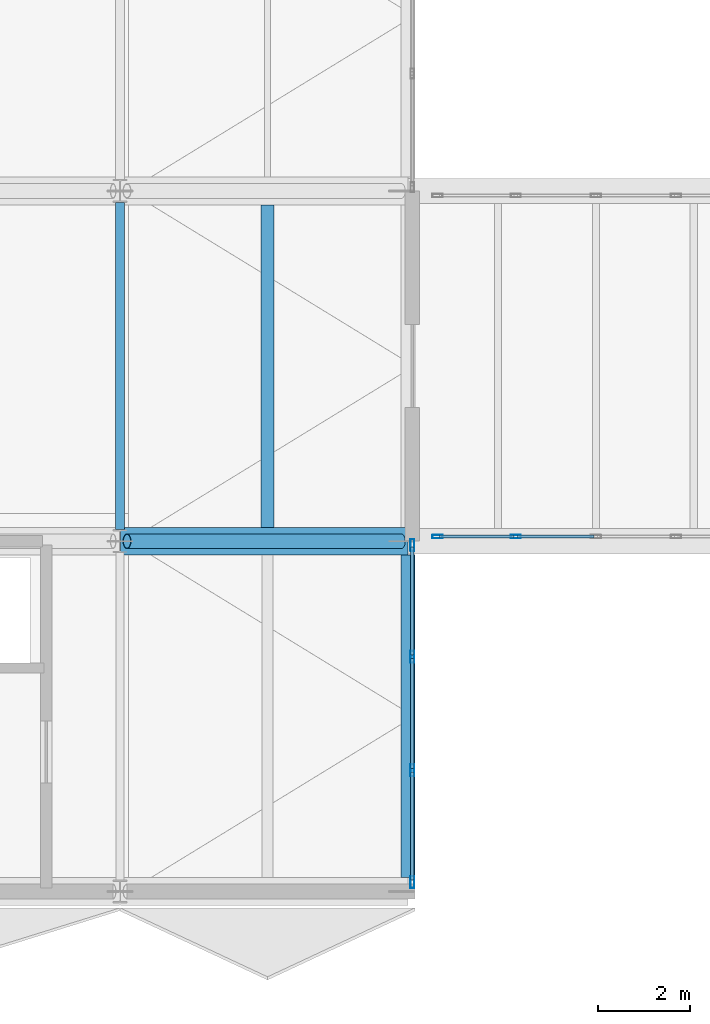
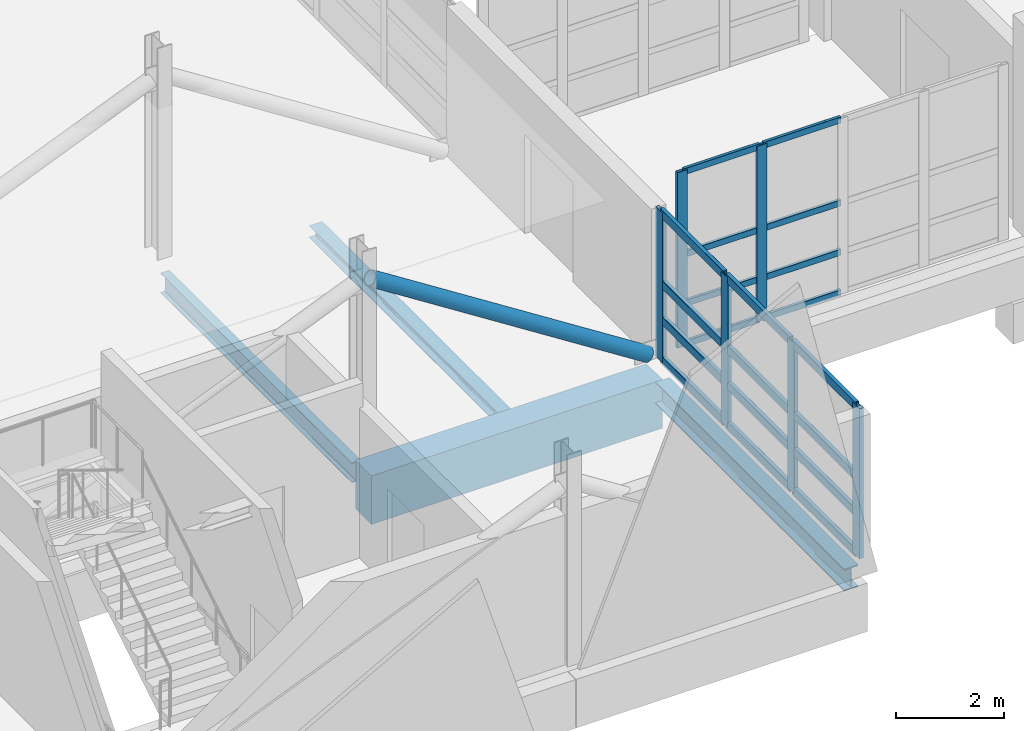
# One storey, part 13 of 147: 27 members, 4 beams, 2 elements without a shape of their own.
"""IFC4 building model written with IfcOpenShell, lengths in metres."""

from ifc_helpers import new_model, si_unit, direction, frame, origin, origin_2d, place, context, subcontext, project, spatial, rectangle, hollow_rectangle, hollow_circle, i_section, extrude, material, material_profile, profile_set, type_object, element, aggregate, save


model = new_model("IFC4")

# Units and contexts
model_context = context("Model", 3, precision=1e-05, world=origin(), true_north=direction((0.0, 1.0)))
body_context = subcontext(model_context, "Body", "Model", "MODEL_VIEW")
ifc_project = project(units=[si_unit("LENGTHUNIT", "METRE"), si_unit("AREAUNIT", "SQUARE_METRE"), si_unit("VOLUMEUNIT", "CUBIC_METRE"), si_unit("PLANEANGLEUNIT", "RADIAN"), si_unit("MASSUNIT", "GRAM", prefix="KILO")], contexts=[model_context])

# Site, building, storey
site_placement = place(None, origin())
site = spatial("IfcSite", under=ifc_project, at=site_placement, CompositionType="ELEMENT")
building_placement = place(site_placement, origin())
building = spatial("IfcBuilding", under=site, at=building_placement, Name="Khelvaren Railside Concert Hall", CompositionType="ELEMENT")
storey_placement = place(building_placement, frame((0.0, 0.0, 5.39990234375)))
storey = spatial("IfcBuildingStorey", under=building, at=storey_placement, Name="L01", CompositionType="ELEMENT", Elevation=5.39990234375)

# Beam
ifc_material_1 = material(Name="Steel S355", Category="steel")
ifc_material_profile_1 = material_profile(ifc_material_1, i_section(OverallWidth=0.18994140625, OverallDepth=0.449951171875, WebThickness=0.009521484375, FlangeThickness=0.0146484375, FilletRadius=0.02099609375, at=origin_2d()), Name="IPE 450")
ifc_profile_set_1 = profile_set([ifc_material_profile_1], Name="Steel S355")
beam_type_1 = type_object("IfcBeamType", Name="BM95", PredefinedType="BEAM", material=ifc_profile_set_1)
beam_1_placement = place(storey_placement, frame((49.60009765625, 7.85009765625, -0.52490234375), z_axis=(0.0, 1.0, 0.0), x_axis=(-1.0, 0.0, 0.0)))
element("IfcBeam", 1, at=beam_1_placement, inside=storey, type_object=beam_type_1, Name="V1 L01 Beam Y7.2", PredefinedType="BEAM", context=body_context, shape_type="SweptSolid", body=[
    extrude(i_section(OverallWidth=0.18994140625, OverallDepth=0.449951171875, WebThickness=0.009521484375, FlangeThickness=0.0146484375, FilletRadius=0.02099609375, at=origin_2d()), origin(), (0.0, 0.0, 1.0), 7.099853515625),
])

# Member
ifc_material_profile_2 = material_profile(ifc_material_1, hollow_circle(Radius=0.161865234375, WallThickness=0.01611328125, at=origin_2d()), Name="CHS 323.9x16")
ifc_profile_set_2 = profile_set([ifc_material_profile_2], Name="Steel S355")
member_type_1 = type_object("IfcMemberType", Name="BR78", PredefinedType="BRACE", material=ifc_profile_set_2)
member_1_placement = place(storey_placement, frame((49.75, 7.60009765625, 3.960205078125), z_axis=(0.842137077221, 0.0, -0.539263519228), x_axis=(0.0, 1.0, 0.0)))
element("IfcMember", 2, at=member_1_placement, inside=storey, type_object=member_type_1, Name="V1 L01 Plaza Cantilever Truss Diagonal 2A", PredefinedType="BRACE", context=body_context, shape_type="SweptSolid", body=[
    extrude(hollow_circle(Radius=0.161865234375, WallThickness=0.01611328125, at=origin_2d()), origin(), (0.0, 0.0, 1.0), 7.065185546875),
])

# Curtain wall, members
ifc_material_2 = material(Name="Double-glazed clear foyer glass", Category="glass")
curtain_wall_type_1 = type_object("IfcCurtainWallType", Name="CW47", PredefinedType="USERDEFINED", material=ifc_material_2)
curtain_wall_1_placement = place(storey_placement, origin())
curtain_wall_1 = element("IfcCurtainWall", 3, at=curtain_wall_1_placement, inside=storey, type_object=curtain_wall_type_1, Name="Unitised Curtain Wall CW-LB1-L01-S", ObjectType="UNITISED CURTAIN WALL", PredefinedType="USERDEFINED")
ifc_material_3 = material(Name="Anodised architectural aluminium 6063-T6", Category="aluminium")
ifc_material_profile_3 = material_profile(ifc_material_3, hollow_rectangle(XDim=0.074951171875, YDim=0.219970703125, WallThickness=0.0048828125, InnerFilletRadius=0.0029296875, OuterFilletRadius=0.0048828125, at=origin_2d()), Name="CWM 75x220x5")
ifc_profile_set_3 = profile_set([ifc_material_profile_3], Name="Anodised architectural aluminium 6063-T6")
member_type_2 = type_object("IfcMemberType", Name="CWM13", PredefinedType="MULLION", material=ifc_profile_set_3)
member_2_placement = place(storey_placement, frame((58.1875, 7.699951171875, 0.0), z_axis=(0.0, 0.0, 1.0), x_axis=(0.0, -1.0, 0.0)))
member_2 = element("IfcMember", 4, at=member_2_placement, type_object=member_type_2, Name="CW47 mullion 4", PredefinedType="MULLION", context=body_context, shape_type="SweptSolid", body=[
    extrude(hollow_rectangle(XDim=0.074951171875, YDim=0.219970703125, WallThickness=0.0048828125, InnerFilletRadius=0.0029296875, OuterFilletRadius=0.0048828125, at=origin_2d()), origin(), (0.0, 0.0, 1.0), 3.97998046875),
])
member_3_placement = place(storey_placement, frame((56.487548828125, 7.699951171875, 0.0), z_axis=(0.0, 0.0, 1.0), x_axis=(0.0, -1.0, 0.0)))
member_3 = element("IfcMember", 5, at=member_3_placement, type_object=member_type_2, Name="CW47 mullion 5", PredefinedType="MULLION", context=body_context, shape_type="SweptSolid", body=[
    extrude(hollow_rectangle(XDim=0.074951171875, YDim=0.219970703125, WallThickness=0.0048828125, InnerFilletRadius=0.0029296875, OuterFilletRadius=0.0048828125, at=origin_2d()), origin(), (0.0, 0.0, 1.0), 3.97998046875),
])

ifc_material_4 = material(Name="Acoustic laminated crystal facade glass", Category="glass")
curtain_wall_type_2 = type_object("IfcCurtainWallType", Name="CW54", PredefinedType="USERDEFINED", material=ifc_material_4)
curtain_wall_2_placement = place(storey_placement, origin())
curtain_wall_2 = element("IfcCurtainWall", 6, at=curtain_wall_2_placement, inside=storey, type_object=curtain_wall_type_2, Name="Unitised Curtain Wall CW-V1-L01-E-0", ObjectType="UNITISED CURTAIN WALL", PredefinedType="USERDEFINED")
ifc_material_profile_4 = material_profile(ifc_material_3, hollow_rectangle(XDim=0.0849609375, YDim=0.260009765625, WallThickness=0.0048828125, InnerFilletRadius=0.0029296875, OuterFilletRadius=0.0048828125, at=origin_2d()), Name="CWM 85x260x5")
ifc_profile_set_4 = profile_set([ifc_material_profile_4], Name="Anodised architectural aluminium 6063-T6")
member_type_3 = type_object("IfcMemberType", Name="CWM40", PredefinedType="MULLION", material=ifc_profile_set_4)
member_4_placement = place(storey_placement, frame((55.93994140625, 7.517578125, 0.0), z_axis=(0.0, 0.0, 1.0), x_axis=(1.0, 0.0, 0.0)))
member_4 = element("IfcMember", 7, at=member_4_placement, type_object=member_type_3, Name="CW54 mullion 1", PredefinedType="MULLION", context=body_context, shape_type="SweptSolid", body=[
    extrude(hollow_rectangle(XDim=0.0849609375, YDim=0.260009765625, WallThickness=0.0048828125, InnerFilletRadius=0.0029296875, OuterFilletRadius=0.0048828125, at=origin_2d()), origin(), (0.0, 0.0, 1.0), 3.400146484375),
])
member_5_placement = place(storey_placement, frame((55.93994140625, 5.09326171875, 0.0), z_axis=(0.0, 0.0, 1.0), x_axis=(1.0, 0.0, 0.0)))
member_5 = element("IfcMember", 8, at=member_5_placement, type_object=member_type_3, Name="CW54 mullion 2", PredefinedType="MULLION", context=body_context, shape_type="SweptSolid", body=[
    extrude(hollow_rectangle(XDim=0.0849609375, YDim=0.260009765625, WallThickness=0.0048828125, InnerFilletRadius=0.0029296875, OuterFilletRadius=0.0048828125, at=origin_2d()), origin(), (0.0, 0.0, 1.0), 3.400146484375),
])
member_6_placement = place(storey_placement, frame((55.93994140625, 2.626708984375, 0.0), z_axis=(0.0, 0.0, 1.0), x_axis=(1.0, 0.0, 0.0)))
member_6 = element("IfcMember", 9, at=member_6_placement, type_object=member_type_3, Name="CW54 mullion 3", PredefinedType="MULLION", context=body_context, shape_type="SweptSolid", body=[
    extrude(hollow_rectangle(XDim=0.0849609375, YDim=0.260009765625, WallThickness=0.0048828125, InnerFilletRadius=0.0029296875, OuterFilletRadius=0.0048828125, at=origin_2d()), origin(), (0.0, 0.0, 1.0), 3.400146484375),
])
member_7_placement = place(storey_placement, frame((55.93994140625, 0.202392578125, 0.0), z_axis=(0.0, 0.0, 1.0), x_axis=(1.0, 0.0, 0.0)))
member_7 = element("IfcMember", 10, at=member_7_placement, type_object=member_type_3, Name="CW54 mullion 4", PredefinedType="MULLION", context=body_context, shape_type="SweptSolid", body=[
    extrude(hollow_rectangle(XDim=0.0849609375, YDim=0.260009765625, WallThickness=0.0048828125, InnerFilletRadius=0.0029296875, OuterFilletRadius=0.0048828125, at=origin_2d()), origin(), (0.0, 0.0, 1.0), 3.400146484375),
])
ifc_material_profile_5 = material_profile(ifc_material_3, hollow_rectangle(XDim=0.0849609375, YDim=0.18994140625, WallThickness=0.0048828125, InnerFilletRadius=0.0029296875, OuterFilletRadius=0.0048828125, at=origin_2d()), Name="CWT 85x190x5")
ifc_profile_set_5 = profile_set([ifc_material_profile_5], Name="Anodised architectural aluminium 6063-T6")
member_type_4 = type_object("IfcMemberType", Name="CWT31", PredefinedType="USERDEFINED", material=ifc_profile_set_5)
member_8_placement = place(storey_placement, frame((55.93994140625, 7.47509765625, 0.04248046875), z_axis=(0.0, -1.0, 0.0), x_axis=(1.0, 0.0, 0.0)))
member_8 = element("IfcMember", 11, at=member_8_placement, type_object=member_type_4, Name="CW54 transom 1.1", ObjectType="TRANSOM", PredefinedType="USERDEFINED", context=body_context, shape_type="SweptSolid", body=[
    extrude(hollow_rectangle(XDim=0.0849609375, YDim=0.18994140625, WallThickness=0.0048828125, InnerFilletRadius=0.0029296875, OuterFilletRadius=0.0048828125, at=origin_2d()), origin(), (0.0, 0.0, 1.0), 2.33935546875),
])
member_9_placement = place(storey_placement, frame((55.93994140625, 7.47509765625, 0.9501953125), z_axis=(0.0, -1.0, 0.0), x_axis=(1.0, 0.0, 0.0)))
member_9 = element("IfcMember", 12, at=member_9_placement, type_object=member_type_4, Name="CW54 transom 1.2", ObjectType="TRANSOM", PredefinedType="USERDEFINED", context=body_context, shape_type="SweptSolid", body=[
    extrude(hollow_rectangle(XDim=0.0849609375, YDim=0.18994140625, WallThickness=0.0048828125, InnerFilletRadius=0.0029296875, OuterFilletRadius=0.0048828125, at=origin_2d()), origin(), (0.0, 0.0, 1.0), 2.33935546875),
])
member_10_placement = place(storey_placement, frame((55.93994140625, 7.47509765625, 1.76806640625), z_axis=(0.0, -1.0, 0.0), x_axis=(1.0, 0.0, 0.0)))
member_10 = element("IfcMember", 13, at=member_10_placement, type_object=member_type_4, Name="CW54 transom 1.3", ObjectType="TRANSOM", PredefinedType="USERDEFINED", context=body_context, shape_type="SweptSolid", body=[
    extrude(hollow_rectangle(XDim=0.0849609375, YDim=0.18994140625, WallThickness=0.0048828125, InnerFilletRadius=0.0029296875, OuterFilletRadius=0.0048828125, at=origin_2d()), origin(), (0.0, 0.0, 1.0), 2.33935546875),
])
member_11_placement = place(storey_placement, frame((55.93994140625, 7.47509765625, 3.357666015625), z_axis=(0.0, -1.0, 0.0), x_axis=(1.0, 0.0, 0.0)))
member_11 = element("IfcMember", 14, at=member_11_placement, type_object=member_type_4, Name="CW54 transom 1.4", ObjectType="TRANSOM", PredefinedType="USERDEFINED", context=body_context, shape_type="SweptSolid", body=[
    extrude(hollow_rectangle(XDim=0.0849609375, YDim=0.18994140625, WallThickness=0.0048828125, InnerFilletRadius=0.0029296875, OuterFilletRadius=0.0048828125, at=origin_2d()), origin(), (0.0, 0.0, 1.0), 2.33935546875),
])
member_12_placement = place(storey_placement, frame((55.93994140625, 5.05078125, 0.04248046875), z_axis=(0.0, -1.0, 0.0), x_axis=(1.0, 0.0, 0.0)))
member_12 = element("IfcMember", 15, at=member_12_placement, type_object=member_type_4, Name="CW54 transom 2.1", ObjectType="TRANSOM", PredefinedType="USERDEFINED", context=body_context, shape_type="SweptSolid", body=[
    extrude(hollow_rectangle(XDim=0.0849609375, YDim=0.18994140625, WallThickness=0.0048828125, InnerFilletRadius=0.0029296875, OuterFilletRadius=0.0048828125, at=origin_2d()), origin(), (0.0, 0.0, 1.0), 2.381591796875),
])
member_13_placement = place(storey_placement, frame((55.93994140625, 5.05078125, 0.9501953125), z_axis=(0.0, -1.0, 0.0), x_axis=(1.0, 0.0, 0.0)))
member_13 = element("IfcMember", 16, at=member_13_placement, type_object=member_type_4, Name="CW54 transom 2.2", ObjectType="TRANSOM", PredefinedType="USERDEFINED", context=body_context, shape_type="SweptSolid", body=[
    extrude(hollow_rectangle(XDim=0.0849609375, YDim=0.18994140625, WallThickness=0.0048828125, InnerFilletRadius=0.0029296875, OuterFilletRadius=0.0048828125, at=origin_2d()), origin(), (0.0, 0.0, 1.0), 2.381591796875),
])
member_14_placement = place(storey_placement, frame((55.93994140625, 5.05078125, 1.76806640625), z_axis=(0.0, -1.0, 0.0), x_axis=(1.0, 0.0, 0.0)))
member_14 = element("IfcMember", 17, at=member_14_placement, type_object=member_type_4, Name="CW54 transom 2.3", ObjectType="TRANSOM", PredefinedType="USERDEFINED", context=body_context, shape_type="SweptSolid", body=[
    extrude(hollow_rectangle(XDim=0.0849609375, YDim=0.18994140625, WallThickness=0.0048828125, InnerFilletRadius=0.0029296875, OuterFilletRadius=0.0048828125, at=origin_2d()), origin(), (0.0, 0.0, 1.0), 2.381591796875),
])
member_15_placement = place(storey_placement, frame((55.93994140625, 5.05078125, 3.357666015625), z_axis=(0.0, -1.0, 0.0), x_axis=(1.0, 0.0, 0.0)))
member_15 = element("IfcMember", 18, at=member_15_placement, type_object=member_type_4, Name="CW54 transom 2.4", ObjectType="TRANSOM", PredefinedType="USERDEFINED", context=body_context, shape_type="SweptSolid", body=[
    extrude(hollow_rectangle(XDim=0.0849609375, YDim=0.18994140625, WallThickness=0.0048828125, InnerFilletRadius=0.0029296875, OuterFilletRadius=0.0048828125, at=origin_2d()), origin(), (0.0, 0.0, 1.0), 2.381591796875),
])
member_16_placement = place(storey_placement, frame((55.93994140625, 2.584228515625, 0.04248046875), z_axis=(0.0, -1.0, 0.0), x_axis=(1.0, 0.0, 0.0)))
member_16 = element("IfcMember", 19, at=member_16_placement, type_object=member_type_4, Name="CW54 transom 3.1", ObjectType="TRANSOM", PredefinedType="USERDEFINED", context=body_context, shape_type="SweptSolid", body=[
    extrude(hollow_rectangle(XDim=0.0849609375, YDim=0.18994140625, WallThickness=0.0048828125, InnerFilletRadius=0.0029296875, OuterFilletRadius=0.0048828125, at=origin_2d()), origin(), (0.0, 0.0, 1.0), 2.339111328125),
])
member_17_placement = place(storey_placement, frame((55.93994140625, 2.584228515625, 0.9501953125), z_axis=(0.0, -1.0, 0.0), x_axis=(1.0, 0.0, 0.0)))
member_17 = element("IfcMember", 20, at=member_17_placement, type_object=member_type_4, Name="CW54 transom 3.2", ObjectType="TRANSOM", PredefinedType="USERDEFINED", context=body_context, shape_type="SweptSolid", body=[
    extrude(hollow_rectangle(XDim=0.0849609375, YDim=0.18994140625, WallThickness=0.0048828125, InnerFilletRadius=0.0029296875, OuterFilletRadius=0.0048828125, at=origin_2d()), origin(), (0.0, 0.0, 1.0), 2.339111328125),
])
member_18_placement = place(storey_placement, frame((55.93994140625, 2.584228515625, 1.76806640625), z_axis=(0.0, -1.0, 0.0), x_axis=(1.0, 0.0, 0.0)))
member_18 = element("IfcMember", 21, at=member_18_placement, type_object=member_type_4, Name="CW54 transom 3.3", ObjectType="TRANSOM", PredefinedType="USERDEFINED", context=body_context, shape_type="SweptSolid", body=[
    extrude(hollow_rectangle(XDim=0.0849609375, YDim=0.18994140625, WallThickness=0.0048828125, InnerFilletRadius=0.0029296875, OuterFilletRadius=0.0048828125, at=origin_2d()), origin(), (0.0, 0.0, 1.0), 2.339111328125),
])
member_19_placement = place(storey_placement, frame((55.93994140625, 2.584228515625, 3.357666015625), z_axis=(0.0, -1.0, 0.0), x_axis=(1.0, 0.0, 0.0)))
member_19 = element("IfcMember", 22, at=member_19_placement, type_object=member_type_4, Name="CW54 transom 3.4", ObjectType="TRANSOM", PredefinedType="USERDEFINED", context=body_context, shape_type="SweptSolid", body=[
    extrude(hollow_rectangle(XDim=0.0849609375, YDim=0.18994140625, WallThickness=0.0048828125, InnerFilletRadius=0.0029296875, OuterFilletRadius=0.0048828125, at=origin_2d()), origin(), (0.0, 0.0, 1.0), 2.339111328125),
])
aggregate(curtain_wall_2, [member_4, member_5, member_6, member_7, member_8, member_9, member_10, member_11, member_12, member_13, member_14, member_15, member_16, member_17, member_18, member_19])

# Member
ifc_material_profile_6 = material_profile(ifc_material_3, hollow_rectangle(XDim=0.06494140625, YDim=0.139892578125, WallThickness=0.00390625, InnerFilletRadius=0.001953125, OuterFilletRadius=0.00390625, at=origin_2d()), Name="CWT 65x140x4")
ifc_profile_set_6 = profile_set([ifc_material_profile_6], Name="Anodised architectural aluminium 6063-T6")
member_type_5 = type_object("IfcMemberType", Name="CWT72", PredefinedType="USERDEFINED", material=ifc_profile_set_6)
member_20_placement = place(storey_placement, frame((59.887451171875, 7.699951171875, 0.03271484375), z_axis=(-1.0, 0.0, 0.0), x_axis=(0.0, -1.0, 0.0)))
member_20 = element("IfcMember", 23, at=member_20_placement, type_object=member_type_5, Name="CW47 transom 3.1", ObjectType="TRANSOM", PredefinedType="USERDEFINED", context=body_context, shape_type="SweptSolid", body=[
    extrude(hollow_rectangle(XDim=0.06494140625, YDim=0.139892578125, WallThickness=0.00390625, InnerFilletRadius=0.001953125, OuterFilletRadius=0.00390625, at=origin_2d()), origin(), (0.0, 0.0, 1.0), 1.662353515625),
])

member_21_placement = place(storey_placement, frame((59.887451171875, 7.699951171875, 0.9501953125), z_axis=(-1.0, 0.0, 0.0), x_axis=(0.0, -1.0, 0.0)))
member_21 = element("IfcMember", 24, at=member_21_placement, type_object=member_type_5, Name="CW47 transom 3.2", ObjectType="TRANSOM", PredefinedType="USERDEFINED", context=body_context, shape_type="SweptSolid", body=[
    extrude(hollow_rectangle(XDim=0.06494140625, YDim=0.139892578125, WallThickness=0.00390625, InnerFilletRadius=0.001953125, OuterFilletRadius=0.00390625, at=origin_2d()), origin(), (0.0, 0.0, 1.0), 1.662353515625),
])

member_22_placement = place(storey_placement, frame((59.887451171875, 7.699951171875, 2.069580078125), z_axis=(-1.0, 0.0, 0.0), x_axis=(0.0, -1.0, 0.0)))
member_22 = element("IfcMember", 25, at=member_22_placement, type_object=member_type_5, Name="CW47 transom 3.3", ObjectType="TRANSOM", PredefinedType="USERDEFINED", context=body_context, shape_type="SweptSolid", body=[
    extrude(hollow_rectangle(XDim=0.06494140625, YDim=0.139892578125, WallThickness=0.00390625, InnerFilletRadius=0.001953125, OuterFilletRadius=0.00390625, at=origin_2d()), origin(), (0.0, 0.0, 1.0), 1.662353515625),
])

member_23_placement = place(storey_placement, frame((59.887451171875, 7.699951171875, 3.947509765625), z_axis=(-1.0, 0.0, 0.0), x_axis=(0.0, -1.0, 0.0)))
member_23 = element("IfcMember", 26, at=member_23_placement, type_object=member_type_5, Name="CW47 transom 3.4", ObjectType="TRANSOM", PredefinedType="USERDEFINED", context=body_context, shape_type="SweptSolid", body=[
    extrude(hollow_rectangle(XDim=0.06494140625, YDim=0.139892578125, WallThickness=0.00390625, InnerFilletRadius=0.001953125, OuterFilletRadius=0.00390625, at=origin_2d()), origin(), (0.0, 0.0, 1.0), 1.662353515625),
])

member_24_placement = place(storey_placement, frame((58.14990234375, 7.699951171875, 0.03271484375), z_axis=(-1.0, 0.0, 0.0), x_axis=(0.0, -1.0, 0.0)))
member_24 = element("IfcMember", 27, at=member_24_placement, type_object=member_type_5, Name="CW47 transom 4.1", ObjectType="TRANSOM", PredefinedType="USERDEFINED", context=body_context, shape_type="SweptSolid", body=[
    extrude(hollow_rectangle(XDim=0.06494140625, YDim=0.139892578125, WallThickness=0.00390625, InnerFilletRadius=0.001953125, OuterFilletRadius=0.00390625, at=origin_2d()), origin(), (0.0, 0.0, 1.0), 1.625),
])

member_25_placement = place(storey_placement, frame((58.14990234375, 7.699951171875, 0.9501953125), z_axis=(-1.0, 0.0, 0.0), x_axis=(0.0, -1.0, 0.0)))
member_25 = element("IfcMember", 28, at=member_25_placement, type_object=member_type_5, Name="CW47 transom 4.2", ObjectType="TRANSOM", PredefinedType="USERDEFINED", context=body_context, shape_type="SweptSolid", body=[
    extrude(hollow_rectangle(XDim=0.06494140625, YDim=0.139892578125, WallThickness=0.00390625, InnerFilletRadius=0.001953125, OuterFilletRadius=0.00390625, at=origin_2d()), origin(), (0.0, 0.0, 1.0), 1.625),
])

member_26_placement = place(storey_placement, frame((58.14990234375, 7.699951171875, 2.069580078125), z_axis=(-1.0, 0.0, 0.0), x_axis=(0.0, -1.0, 0.0)))
member_26 = element("IfcMember", 29, at=member_26_placement, type_object=member_type_5, Name="CW47 transom 4.3", ObjectType="TRANSOM", PredefinedType="USERDEFINED", context=body_context, shape_type="SweptSolid", body=[
    extrude(hollow_rectangle(XDim=0.06494140625, YDim=0.139892578125, WallThickness=0.00390625, InnerFilletRadius=0.001953125, OuterFilletRadius=0.00390625, at=origin_2d()), origin(), (0.0, 0.0, 1.0), 1.625),
])

member_27_placement = place(storey_placement, frame((58.14990234375, 7.699951171875, 3.947509765625), z_axis=(-1.0, 0.0, 0.0), x_axis=(0.0, -1.0, 0.0)))
member_27 = element("IfcMember", 30, at=member_27_placement, type_object=member_type_5, Name="CW47 transom 4.4", ObjectType="TRANSOM", PredefinedType="USERDEFINED", context=body_context, shape_type="SweptSolid", body=[
    extrude(hollow_rectangle(XDim=0.06494140625, YDim=0.139892578125, WallThickness=0.00390625, InnerFilletRadius=0.001953125, OuterFilletRadius=0.00390625, at=origin_2d()), origin(), (0.0, 0.0, 1.0), 1.625),
])

aggregate(curtain_wall_1, [member_2, member_3, member_20, member_21, member_22, member_23, member_24, member_25, member_26, member_27])

# Beams
ifc_material_5 = material(Name="Concrete C40/50", Category="concrete")
ifc_material_profile_7 = material_profile(ifc_material_5, rectangle(XDim=0.60009765625, YDim=1.10009765625, at=origin_2d()), Name="RCB 600x1100")
ifc_profile_set_7 = profile_set([ifc_material_profile_7], Name="Concrete C40/50")
beam_type_2 = type_object("IfcBeamType", Name="GR15", PredefinedType="T_BEAM", material=ifc_profile_set_7)
beam_2_placement = place(storey_placement, frame((49.610107421875, 7.60009765625, -0.849853515625), z_axis=(1.0, 0.0, 0.0), x_axis=(0.0, 1.0, 0.0)))
element("IfcBeam", 31, at=beam_2_placement, inside=storey, type_object=beam_type_2, Name="V1 L01 Arrival Cantilever Girder 2", PredefinedType="T_BEAM", context=body_context, shape_type="SweptSolid", body=[
    extrude(rectangle(XDim=0.60009765625, YDim=1.10009765625, at=origin_2d()), origin(), (0.0, 0.0, 1.0), 6.239990234375),
])
ifc_material_profile_8 = material_profile(ifc_material_1, i_section(OverallWidth=0.280029296875, OverallDepth=0.27001953125, WebThickness=0.008056640625, FlangeThickness=0.012939453125, FilletRadius=0.02392578125, at=origin_2d()), Name="HEA 280")
ifc_profile_set_8 = profile_set([ifc_material_profile_8], Name="Steel S355")
beam_type_3 = type_object("IfcBeamType", Name="JS46", PredefinedType="JOIST", material=ifc_profile_set_8)
beam_3_placement = place(storey_placement, frame((52.800048828125, 7.89990234375, -0.434814453125), z_axis=(0.0, 1.0, 0.0), x_axis=(-1.0, 0.0, 0.0)))
element("IfcBeam", 32, at=beam_3_placement, inside=storey, type_object=beam_type_3, Name="V1 L01 Secondary Joist 7.2", PredefinedType="JOIST", context=body_context, shape_type="SweptSolid", body=[
    extrude(i_section(OverallWidth=0.280029296875, OverallDepth=0.27001953125, WebThickness=0.008056640625, FlangeThickness=0.012939453125, FilletRadius=0.02392578125, at=origin_2d()), origin(), (0.0, 0.0, 1.0), 7.0),
])
ifc_material_profile_9 = material_profile(ifc_material_1, i_section(OverallWidth=0.300048828125, OverallDepth=0.5, WebThickness=0.014404296875, FlangeThickness=0.028076171875, FilletRadius=0.027099609375, at=origin_2d()), Name="HEB 500")
ifc_profile_set_9 = profile_set([ifc_material_profile_9], Name="Steel S355")
beam_type_4 = type_object("IfcBeamType", Name="SP12", PredefinedType="SPANDREL", material=ifc_profile_set_9)
beam_4_placement = place(storey_placement, frame((55.85009765625, 0.300048828125, -0.5498046875), z_axis=(0.0, 1.0, 0.0), x_axis=(-1.0, 0.0, 0.0)))
element("IfcBeam", 33, at=beam_4_placement, inside=storey, type_object=beam_type_4, Name="V1 L01 Cantilever Tip Spandrel Y1", PredefinedType="SPANDREL", context=body_context, shape_type="SweptSolid", body=[
    extrude(i_section(OverallWidth=0.300048828125, OverallDepth=0.5, WebThickness=0.014404296875, FlangeThickness=0.028076171875, FilletRadius=0.027099609375, at=origin_2d()), origin(), (0.0, 0.0, 1.0), 7.0),
])

save(model, "model.ifc")
